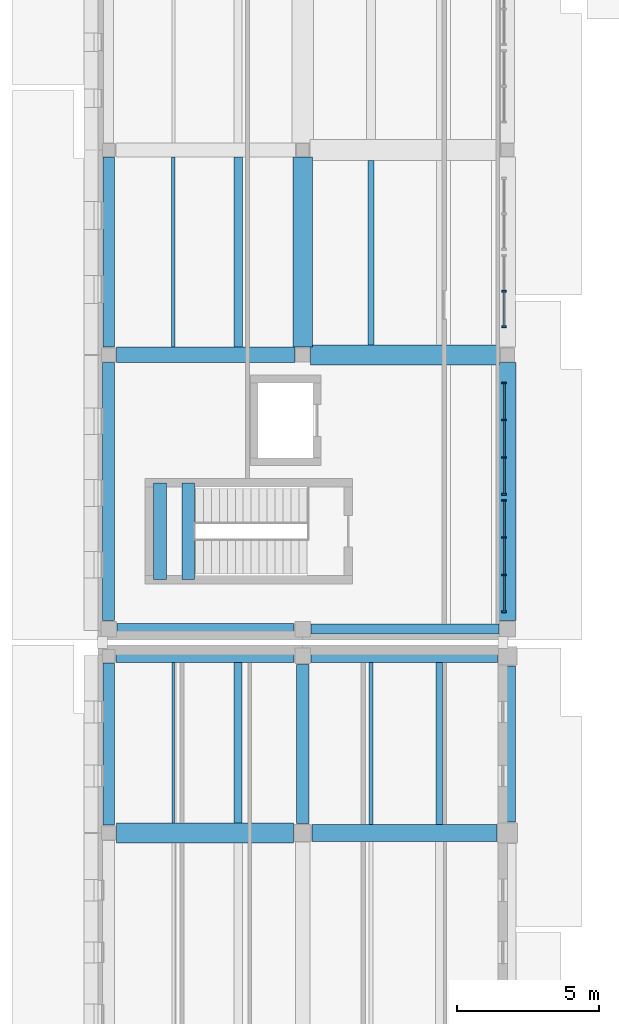
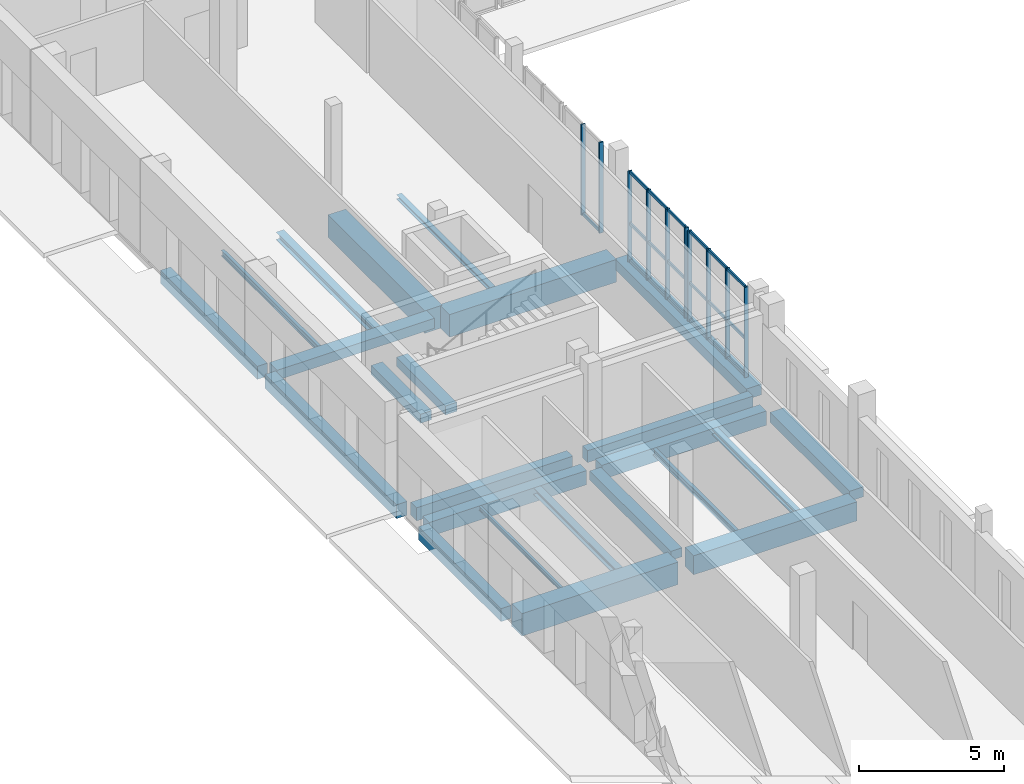
# One storey, part 20 of 77: 29 members, 24 beams, 3 elements without a shape of their own.
"""IFC4 building model written with IfcOpenShell, lengths in metres."""

from ifc_helpers import new_model, si_unit, direction, frame, origin, origin_2d, place, context, subcontext, project, spatial, rectangle, i_section, extrude, material, layer, layer_set, material_profile, profile_set, type_object, element, aggregate, save


model = new_model("IFC4")

# Units and contexts
model_context = context("Model", 3, precision=1e-05, world=origin(), true_north=direction((0.0, 1.0)))
body_context = subcontext(model_context, "Body", "Model", "MODEL_VIEW")
ifc_project = project(units=[si_unit("LENGTHUNIT", "METRE"), si_unit("AREAUNIT", "SQUARE_METRE"), si_unit("VOLUMEUNIT", "CUBIC_METRE"), si_unit("PLANEANGLEUNIT", "RADIAN"), si_unit("MASSUNIT", "GRAM", prefix="KILO")], contexts=[model_context])

# Site, building, storey
site_placement = place(None, origin())
site = spatial("IfcSite", under=ifc_project, at=site_placement, CompositionType="ELEMENT")
building_placement = place(site_placement, origin())
building = spatial("IfcBuilding", under=site, at=building_placement, Name="Vardoun Plaza Health Centre", CompositionType="ELEMENT")
storey_placement = place(building_placement, origin())
storey = spatial("IfcBuildingStorey", under=building, at=storey_placement, Name="L00", CompositionType="ELEMENT", Elevation=0.0)

# Beams
ifc_material_1 = material(Name="Concrete C35/45", Category="concrete")
ifc_material_profile_1 = material_profile(ifc_material_1, rectangle(XDim=0.35009765625, YDim=0.5, at=origin_2d()), Name="RC-BM 350x500")
ifc_profile_set_1 = profile_set([ifc_material_profile_1], Name="Concrete C35/45")
beam_type_1 = type_object("IfcBeamType", Name="B-08", PredefinedType="SPANDREL", material=ifc_profile_set_1)
beam_1_placement = place(storey_placement, frame((12.0, 77.06005859375, -0.514892578125), z_axis=(1.0, 0.0, 0.0), x_axis=(0.0, 1.0, 0.0)))
element("IfcBeam", 1, at=beam_1_placement, inside=storey, type_object=beam_type_1, Name="V3 L00 Beam B-V3-L00-X07", PredefinedType="SPANDREL", context=body_context, shape_type="SweptSolid", body=[
    extrude(rectangle(XDim=0.35009765625, YDim=0.5, at=origin_2d()), origin(), (0.0, 0.0, 1.0), 6.60009765625),
])
ifc_material_2 = material(Name="Concrete C35/45", Category="concrete")
ifc_material_profile_2 = material_profile(ifc_material_2, rectangle(XDim=0.39990234375, YDim=0.550048828125, at=origin_2d()), Name="RC-BM 400x550")
ifc_profile_set_2 = profile_set([ifc_material_profile_2], Name="Concrete C35/45")
beam_type_2 = type_object("IfcBeamType", Name="B-09", PredefinedType="SPANDREL", material=ifc_profile_set_2)
beam_2_placement = place(storey_placement, frame((4.8798828125, 70.175048828125, -0.554931640625), z_axis=(0.0, 1.0, 0.0), x_axis=(-1.0, 0.0, 0.0)))
element("IfcBeam", 2, at=beam_2_placement, inside=storey, type_object=beam_type_2, Name="V2 L00 Beam B-V2-L00-Y42", PredefinedType="SPANDREL", context=body_context, shape_type="SweptSolid", body=[
    extrude(rectangle(XDim=0.39990234375, YDim=0.550048828125, at=origin_2d()), origin(), (0.0, 0.0, 1.0), 5.695068359375),
])
beam_3_placement = place(storey_placement, frame((5.179931640625, 77.06005859375, -0.5400390625), z_axis=(1.0, 0.0, 0.0), x_axis=(0.0, 1.0, 0.0)))
element("IfcBeam", 3, at=beam_3_placement, inside=storey, type_object=beam_type_2, Name="V3 L00 Beam B-V3-L00-X01", PredefinedType="SPANDREL", context=body_context, shape_type="SweptSolid", body=[
    extrude(rectangle(XDim=0.39990234375, YDim=0.550048828125, at=origin_2d()), origin(), (0.0, 0.0, 1.0), 6.219970703125),
])
beam_4_placement = place(storey_placement, frame((4.8798828125, 86.97509765625, -0.5400390625), z_axis=(0.0, 1.0, 0.0), x_axis=(-1.0, 0.0, 0.0)))
element("IfcBeam", 4, at=beam_4_placement, inside=storey, type_object=beam_type_2, Name="V3 L00 Beam B-V3-L00-Y26", PredefinedType="SPANDREL", context=body_context, shape_type="SweptSolid", body=[
    extrude(rectangle(XDim=0.39990234375, YDim=0.550048828125, at=origin_2d()), origin(), (0.0, 0.0, 1.0), 6.675048828125),
])
ifc_material_3 = material(Name="Concrete C35/45", Category="concrete")
ifc_material_profile_3 = material_profile(ifc_material_3, rectangle(XDim=0.419921875, YDim=0.580078125, at=origin_2d()), Name="RC-BM 420x580")
ifc_profile_set_3 = profile_set([ifc_material_profile_3], Name="Concrete C35/45")
beam_type_3 = type_object("IfcBeamType", Name="B-10", PredefinedType="SPANDREL", material=ifc_profile_set_3)
beam_5_placement = place(storey_placement, frame((4.8798828125, 77.360107421875, -0.554931640625), z_axis=(0.0, 1.0, 0.0), x_axis=(-1.0, 0.0, 0.0)))
element("IfcBeam", 5, at=beam_5_placement, inside=storey, type_object=beam_type_3, Name="V3 L00 Beam B-V3-L00-Y25", PredefinedType="SPANDREL", context=body_context, shape_type="SweptSolid", body=[
    extrude(rectangle(XDim=0.419921875, YDim=0.580078125, at=origin_2d()), origin(), (0.0, 0.0, 1.0), 9.06494140625),
])
ifc_material_4 = material(Name="Concrete C35/45", Category="concrete")
ifc_material_profile_4 = material_profile(ifc_material_4, rectangle(XDim=0.449951171875, YDim=0.3798828125, at=origin_2d()), Name="RC-BM 450x380")
ifc_profile_set_4 = profile_set([ifc_material_profile_4], Name="Concrete C35/45")
beam_type_4 = type_object("IfcBeamType", Name="B-01", PredefinedType="BEAM", material=ifc_profile_set_4)
beam_6_placement = place(storey_placement, frame((11.699951171875, 70.22509765625, -0.469970703125), z_axis=(0.0, 1.0, 0.0), x_axis=(-1.0, 0.0, 0.0)))
element("IfcBeam", 6, at=beam_6_placement, inside=storey, type_object=beam_type_4, Name="V2 L00 Beam B-V2-L00-Y49", PredefinedType="BEAM", context=body_context, shape_type="SweptSolid", body=[
    extrude(rectangle(XDim=0.449951171875, YDim=0.3798828125, at=origin_2d()), origin(), (0.0, 0.0, 1.0), 5.594970703125),
])
for number, where, z_axis, x_axis, name in (
    (7, (6.679931640625, 78.800048828125, 1.860107421875), (0.0, 1.0, 0.0), (-1.0, 0.0, 0.0), "Stair ST-C3-L00 Landing Beam 1"),
    (8, (7.679931640625, 78.800048828125, 1.860107421875), (0.0, 1.0, 0.0), (-1.0, 0.0, 0.0), "Stair ST-C3-L00 Landing Beam 2"),
):
    element("IfcBeam", number, at=place(storey_placement, frame(where, z_axis=z_axis, x_axis=x_axis)), inside=storey, type_object=beam_type_4, Name=name, PredefinedType="BEAM", context=body_context, shape_type="SweptSolid", body=[
        extrude(rectangle(XDim=0.449951171875, YDim=0.3798828125, at=origin_2d()), origin(), (0.0, 0.0, 1.0), 3.39990234375),
    ])
ifc_material_5 = material(Name="Concrete C35/45", Category="concrete")
ifc_material_profile_5 = material_profile(ifc_material_5, rectangle(XDim=0.449951171875, YDim=0.60009765625, at=origin_2d()), Name="RC-BM 450x600")
ifc_profile_set_5 = profile_set([ifc_material_profile_5], Name="Concrete C35/45")
beam_type_5 = type_object("IfcBeamType", Name="B-11", PredefinedType="SPANDREL", material=ifc_profile_set_5)
beam_7_placement = place(storey_placement, frame((5.1298828125, 76.1201171875, -0.580078125), z_axis=(1.0, 0.0, 0.0), x_axis=(0.0, 1.0, 0.0)))
element("IfcBeam", 9, at=beam_7_placement, inside=storey, type_object=beam_type_5, Name="V2 L00 Beam B-V2-L00-X10", PredefinedType="SPANDREL", context=body_context, shape_type="SweptSolid", body=[
    extrude(rectangle(XDim=0.449951171875, YDim=0.60009765625, at=origin_2d()), origin(), (0.0, 0.0, 1.0), 6.27001953125),
])
beam_8_placement = place(storey_placement, frame((12.0, 76.1201171875, -0.580078125), z_axis=(1.0, 0.0, 0.0), x_axis=(0.0, 1.0, 0.0)))
element("IfcBeam", 10, at=beam_8_placement, inside=storey, type_object=beam_type_5, Name="V2 L00 Beam B-V2-L00-X20", PredefinedType="SPANDREL", context=body_context, shape_type="SweptSolid", body=[
    extrude(rectangle(XDim=0.449951171875, YDim=0.60009765625, at=origin_2d()), origin(), (0.0, 0.0, 1.0), 6.550048828125),
])
ifc_material_6 = material(Name="Concrete C35/45", Category="concrete")
ifc_material_profile_6 = material_profile(ifc_material_6, rectangle(XDim=0.550048828125, YDim=0.419921875, at=origin_2d()), Name="RC-BM 550x420")
ifc_profile_set_6 = profile_set([ifc_material_profile_6], Name="Concrete C35/45")
beam_type_6 = type_object("IfcBeamType", Name="B-03", PredefinedType="BEAM", material=ifc_profile_set_6)
beam_9_placement = place(storey_placement, frame((18.89990234375, 70.275146484375, -0.489990234375), z_axis=(0.0, 1.0, 0.0), x_axis=(-1.0, 0.0, 0.0)))
element("IfcBeam", 11, at=beam_9_placement, inside=storey, type_object=beam_type_6, Name="V2 L00 Beam B-V2-L00-Y58", PredefinedType="BEAM", context=body_context, shape_type="SweptSolid", body=[
    extrude(rectangle(XDim=0.550048828125, YDim=0.419921875, at=origin_2d()), origin(), (0.0, 0.0, 1.0), 5.494873046875),
])
beam_10_placement = place(storey_placement, frame((5.155029296875, 86.699951171875, -0.47509765625), z_axis=(1.0, 0.0, 0.0), x_axis=(0.0, 1.0, 0.0)))
element("IfcBeam", 12, at=beam_10_placement, inside=storey, type_object=beam_type_6, Name="V3 L00 Beam B-V3-L00-X02", PredefinedType="BEAM", context=body_context, shape_type="SweptSolid", body=[
    extrude(rectangle(XDim=0.550048828125, YDim=0.419921875, at=origin_2d()), origin(), (0.0, 0.0, 1.0), 6.27001953125),
])
ifc_material_7 = material(Name="Concrete C35/45", Category="concrete")
ifc_material_profile_7 = material_profile(ifc_material_7, rectangle(XDim=0.60009765625, YDim=0.449951171875, at=origin_2d()), Name="RC-BM 600x450")
ifc_profile_set_7 = profile_set([ifc_material_profile_7], Name="Concrete C35/45")
beam_type_7 = type_object("IfcBeamType", Name="B-04", PredefinedType="BEAM", material=ifc_profile_set_7)
beam_11_placement = place(storey_placement, frame((18.89990234375, 77.360107421875, -0.489990234375), z_axis=(0.0, 1.0, 0.0), x_axis=(-1.0, 0.0, 0.0)))
element("IfcBeam", 13, at=beam_11_placement, inside=storey, type_object=beam_type_7, Name="V3 L00 Beam B-V3-L00-Y34", PredefinedType="BEAM", context=body_context, shape_type="SweptSolid", body=[
    extrude(rectangle(XDim=0.60009765625, YDim=0.449951171875, at=origin_2d()), origin(), (0.0, 0.0, 1.0), 9.06494140625),
])
ifc_material_8 = material(Name="Concrete C40/50", Category="concrete")
ifc_material_profile_8 = material_profile(ifc_material_8, rectangle(XDim=0.60009765625, YDim=0.800048828125, at=origin_2d()), Name="RC-BM 600x800")
ifc_profile_set_8 = profile_set([ifc_material_profile_8], Name="Concrete C40/50")
beam_type_8 = type_object("IfcBeamType", Name="B-15", PredefinedType="JOIST", material=ifc_profile_set_8)
beam_12_placement = place(storey_placement, frame((12.02490234375, 69.900146484375, -0.679931640625), z_axis=(1.0, 0.0, 0.0), x_axis=(0.0, 1.0, 0.0)))
element("IfcBeam", 14, at=beam_12_placement, inside=storey, type_object=beam_type_8, Name="V2 L00 Beam B-V2-L00-X19", PredefinedType="JOIST", context=body_context, shape_type="SweptSolid", body=[
    extrude(rectangle(XDim=0.60009765625, YDim=0.800048828125, at=origin_2d()), origin(), (0.0, 0.0, 1.0), 6.5),
])
ifc_material_9 = material(Name="Concrete C40/50", Category="concrete")
ifc_material_profile_9 = material_profile(ifc_material_9, rectangle(XDim=0.699951171875, YDim=0.949951171875, at=origin_2d()), Name="RC-BM 700x950")
ifc_profile_set_9 = profile_set([ifc_material_profile_9], Name="Concrete C40/50")
beam_type_9 = type_object("IfcBeamType", Name="B-16", PredefinedType="LINTEL", material=ifc_profile_set_9)
beam_13_placement = place(storey_placement, frame((5.155029296875, 69.900146484375, -0.7548828125), z_axis=(1.0, 0.0, 0.0), x_axis=(0.0, 1.0, 0.0)))
element("IfcBeam", 15, at=beam_13_placement, inside=storey, type_object=beam_type_9, Name="V2 L00 Beam B-V2-L00-X09", PredefinedType="LINTEL", context=body_context, shape_type="SweptSolid", body=[
    extrude(rectangle(XDim=0.699951171875, YDim=0.949951171875, at=origin_2d()), origin(), (0.0, 0.0, 1.0), 6.219970703125),
])
beam_14_placement = place(storey_placement, frame((11.97509765625, 86.699951171875, -0.739990234375), z_axis=(1.0, 0.0, 0.0), x_axis=(0.0, 1.0, 0.0)))
element("IfcBeam", 16, at=beam_14_placement, inside=storey, type_object=beam_type_9, Name="V3 L00 Beam B-V3-L00-X08", PredefinedType="LINTEL", context=body_context, shape_type="SweptSolid", body=[
    extrude(rectangle(XDim=0.699951171875, YDim=0.949951171875, at=origin_2d()), origin(), (0.0, 0.0, 1.0), 6.64990234375),
])
beam_15_placement = place(storey_placement, frame((11.699951171875, 86.97509765625, -0.739990234375), z_axis=(0.0, 1.0, 0.0), x_axis=(-1.0, 0.0, 0.0)))
element("IfcBeam", 17, at=beam_15_placement, inside=storey, type_object=beam_type_9, Name="V3 L00 Beam B-V3-L00-Y30", PredefinedType="LINTEL", context=body_context, shape_type="SweptSolid", body=[
    extrude(rectangle(XDim=0.699951171875, YDim=0.949951171875, at=origin_2d()), origin(), (0.0, 0.0, 1.0), 6.675048828125),
])
ifc_material_10 = material(Name="Steel S355J2", Category="steel")
ifc_material_profile_10 = material_profile(ifc_material_10, i_section(OverallWidth=0.199951171875, OverallDepth=0.18994140625, WebThickness=0.006591796875, FlangeThickness=0.010009765625, FilletRadius=0.01806640625, at=origin_2d()), Name="HEA 200")
ifc_profile_set_10 = profile_set([ifc_material_profile_10], Name="Steel S355J2")
beam_type_10 = type_object("IfcBeamType", Name="SB-09", PredefinedType="BEAM", material=ifc_profile_set_10)
beam_16_placement = place(storey_placement, frame((14.099853515625, 87.050048828125, -0.360107421875), z_axis=(0.0, 1.0, 0.0), x_axis=(-1.0, 0.0, 0.0)))
element("IfcBeam", 18, at=beam_16_placement, inside=storey, type_object=beam_type_10, Name="V3 L00 Secondary Floor Beam SJ-V3-L00-09", PredefinedType="BEAM", context=body_context, shape_type="SweptSolid", body=[
    extrude(i_section(OverallWidth=0.199951171875, OverallDepth=0.18994140625, WebThickness=0.006591796875, FlangeThickness=0.010009765625, FilletRadius=0.01806640625, at=origin_2d()), origin(), (0.0, 0.0, 1.0), 6.47509765625),
])
ifc_material_11 = material(Name="Steel S355J2", Category="steel")
ifc_material_profile_11 = material_profile(ifc_material_11, i_section(OverallWidth=0.239990234375, OverallDepth=0.22998046875, WebThickness=0.007568359375, FlangeThickness=0.011962890625, FilletRadius=0.02099609375, at=origin_2d()), Name="HEA 240")
ifc_profile_set_11 = profile_set([ifc_material_profile_11], Name="Steel S355J2")
beam_type_11 = type_object("IfcBeamType", Name="SB-07", PredefinedType="BEAM", material=ifc_profile_set_11)
beam_17_placement = place(storey_placement, frame((16.500244140625, 70.199951171875, -0.39501953125), z_axis=(0.0, 1.0, 0.0), x_axis=(-1.0, 0.0, 0.0)))
element("IfcBeam", 19, at=beam_17_placement, inside=storey, type_object=beam_type_11, Name="V2 L00 Secondary Floor Beam SJ-V2-L00-28", PredefinedType="BEAM", context=body_context, shape_type="SweptSolid", body=[
    extrude(i_section(OverallWidth=0.239990234375, OverallDepth=0.22998046875, WebThickness=0.007568359375, FlangeThickness=0.011962890625, FilletRadius=0.02099609375, at=origin_2d()), origin(), (0.0, 0.0, 1.0), 5.695068359375),
])
ifc_material_12 = material(Name="Steel S355J2", Category="steel")
ifc_material_profile_12 = material_profile(ifc_material_12, i_section(OverallWidth=0.300048828125, OverallDepth=0.330078125, WebThickness=0.009521484375, FlangeThickness=0.0166015625, FilletRadius=0.027099609375, at=origin_2d()), Name="HEA 340")
ifc_profile_set_12 = profile_set([ifc_material_profile_12], Name="Steel S355J2")
beam_type_12 = type_object("IfcBeamType", Name="SB-04", PredefinedType="BEAM", material=ifc_profile_set_12)
beam_18_placement = place(storey_placement, frame((9.427001953125, 86.97509765625, -0.429931640625), z_axis=(0.0, 1.0, 0.0), x_axis=(-1.0, 0.0, 0.0)))
element("IfcBeam", 20, at=beam_18_placement, inside=storey, type_object=beam_type_12, Name="V3 L00 Secondary Floor Beam SJ-V3-L00-05", PredefinedType="BEAM", context=body_context, shape_type="SweptSolid", body=[
    extrude(i_section(OverallWidth=0.300048828125, OverallDepth=0.330078125, WebThickness=0.009521484375, FlangeThickness=0.0166015625, FilletRadius=0.027099609375, at=origin_2d()), origin(), (0.0, 0.0, 1.0), 6.675048828125),
])
ifc_material_13 = material(Name="Steel S355J2", Category="steel")
ifc_material_profile_13 = material_profile(ifc_material_13, i_section(OverallWidth=0.280029296875, OverallDepth=0.280029296875, WebThickness=0.010498046875, FlangeThickness=0.01806640625, FilletRadius=0.02392578125, at=origin_2d()), Name="HEB 280")
ifc_profile_set_13 = profile_set([ifc_material_profile_13], Name="Steel S355J2")
beam_type_13 = type_object("IfcBeamType", Name="SB-02", PredefinedType="BEAM", material=ifc_profile_set_13)
beam_19_placement = place(storey_placement, frame((9.427001953125, 70.25, -0.419921875), z_axis=(0.0, 1.0, 0.0), x_axis=(-1.0, 0.0, 0.0)))
element("IfcBeam", 21, at=beam_19_placement, inside=storey, type_object=beam_type_13, Name="V2 L00 Secondary Floor Beam SJ-V2-L00-14", PredefinedType="BEAM", context=body_context, shape_type="SweptSolid", body=[
    extrude(i_section(OverallWidth=0.280029296875, OverallDepth=0.280029296875, WebThickness=0.010498046875, FlangeThickness=0.01806640625, FilletRadius=0.02392578125, at=origin_2d()), origin(), (0.0, 0.0, 1.0), 5.64501953125),
])
ifc_material_14 = material(Name="Steel S355J2", Category="steel")
ifc_material_profile_14 = material_profile(ifc_material_14, i_section(OverallWidth=0.091064453125, OverallDepth=0.179931640625, WebThickness=0.00537109375, FlangeThickness=0.008056640625, FilletRadius=0.009033203125, at=origin_2d()), Name="IPE 180")
ifc_profile_set_14 = profile_set([ifc_material_profile_14], Name="Steel S355J2")
beam_type_14 = type_object("IfcBeamType", Name="SB-20", PredefinedType="SPANDREL", material=ifc_profile_set_14)
beam_20_placement = place(storey_placement, frame((7.153076171875, 70.25, -0.3701171875), z_axis=(0.0, 1.0, 0.0), x_axis=(-1.0, 0.0, 0.0)))
element("IfcBeam", 22, at=beam_20_placement, inside=storey, type_object=beam_type_14, Name="V2 L00 Secondary Floor Beam SJ-V2-L00-07", PredefinedType="SPANDREL", context=body_context, shape_type="SweptSolid", body=[
    extrude(i_section(OverallWidth=0.091064453125, OverallDepth=0.179931640625, WebThickness=0.00537109375, FlangeThickness=0.008056640625, FilletRadius=0.009033203125, at=origin_2d()), origin(), (0.0, 0.0, 1.0), 5.64501953125),
])
ifc_material_15 = material(Name="Steel S355J2", Category="steel")
ifc_material_profile_15 = material_profile(ifc_material_15, i_section(OverallWidth=0.1201171875, OverallDepth=0.239990234375, WebThickness=0.006103515625, FlangeThickness=0.009765625, FilletRadius=0.014892578125, at=origin_2d()), Name="IPE 240")
ifc_profile_set_15 = profile_set([ifc_material_profile_15], Name="Steel S355J2")
beam_type_15 = type_object("IfcBeamType", Name="SB-17", PredefinedType="JOIST", material=ifc_profile_set_15)
beam_21_placement = place(storey_placement, frame((7.153076171875, 86.97509765625, -0.385009765625), z_axis=(0.0, 1.0, 0.0), x_axis=(-1.0, 0.0, 0.0)))
element("IfcBeam", 23, at=beam_21_placement, inside=storey, type_object=beam_type_15, Name="V3 L00 Secondary Floor Beam SJ-V3-L00-01", PredefinedType="JOIST", context=body_context, shape_type="SweptSolid", body=[
    extrude(i_section(OverallWidth=0.1201171875, OverallDepth=0.239990234375, WebThickness=0.006103515625, FlangeThickness=0.009765625, FilletRadius=0.014892578125, at=origin_2d()), origin(), (0.0, 0.0, 1.0), 6.675048828125),
])
ifc_material_16 = material(Name="Steel S355J2", Category="steel")
ifc_material_profile_16 = material_profile(ifc_material_16, i_section(OverallWidth=0.135009765625, OverallDepth=0.27001953125, WebThickness=0.006591796875, FlangeThickness=0.01025390625, FilletRadius=0.014892578125, at=origin_2d()), Name="IPE 270")
ifc_profile_set_16 = profile_set([ifc_material_profile_16], Name="Steel S355J2")
beam_type_16 = type_object("IfcBeamType", Name="SB-16", PredefinedType="JOIST", material=ifc_profile_set_16)
beam_22_placement = place(storey_placement, frame((14.099853515625, 70.199951171875, -0.4150390625), z_axis=(0.0, 1.0, 0.0), x_axis=(-1.0, 0.0, 0.0)))
element("IfcBeam", 24, at=beam_22_placement, inside=storey, type_object=beam_type_16, Name="V2 L00 Secondary Floor Beam SJ-V2-L00-21", PredefinedType="JOIST", context=body_context, shape_type="SweptSolid", body=[
    extrude(i_section(OverallWidth=0.135009765625, OverallDepth=0.27001953125, WebThickness=0.006591796875, FlangeThickness=0.01025390625, FilletRadius=0.014892578125, at=origin_2d()), origin(), (0.0, 0.0, 1.0), 5.695068359375),
])

# Curtain wall, members
ifc_material_17 = material(Name="Aluminium Alloy EN AW-6063-T6 and Low-E Glass", Category="aluminium")
ifc_layer = layer(ifc_material_17, 0.159912109375)
ifc_layer_set = layer_set([ifc_layer], Name="Aluminium Alloy EN AW-6063-T6 and Low-E Glass")
curtain_wall_type = type_object("IfcCurtainWallType", Name="CW-02", PredefinedType="USERDEFINED", material=ifc_layer_set)
curtain_wall_1_placement = place(storey_placement, origin())
curtain_wall_1 = element("IfcCurtainWall", 25, at=curtain_wall_1_placement, inside=storey, type_object=curtain_wall_type, Name="Curtain Wall CW-V3-056", ObjectType="COURTYARD_CURTAIN_WALL", PredefinedType="USERDEFINED")
ifc_material_18 = material(Name="Aluminium Alloy EN AW-6063-T6", Category="aluminium")
ifc_material_profile_17 = material_profile(ifc_material_18, rectangle(XDim=0.159912109375, YDim=0.06005859375, at=origin_2d()), Name="CWM 60x160")
ifc_profile_set_17 = profile_set([ifc_material_profile_17], Name="Aluminium Alloy EN AW-6063-T6")
member_type_1 = type_object("IfcMemberType", Name="CW-M1", PredefinedType="MULLION", material=ifc_profile_set_17)
member_1_placement = place(storey_placement, frame((18.780029296875, 88.940185546875, 0.0), z_axis=(0.0, 0.0, 1.0), x_axis=(1.0, 0.0, 0.0)))
member_1 = element("IfcMember", 26, at=member_1_placement, type_object=member_type_1, Name="CW-V3-056 mullion 2", PredefinedType="MULLION", context=body_context, shape_type="SweptSolid", body=[
    extrude(rectangle(XDim=0.159912109375, YDim=0.06005859375, at=origin_2d()), origin(), (0.0, 0.0, 1.0), 3.820068359375),
])
member_2_placement = place(storey_placement, frame((18.780029296875, 87.690185546875, 0.0), z_axis=(0.0, 0.0, 1.0), x_axis=(1.0, 0.0, 0.0)))
member_2 = element("IfcMember", 27, at=member_2_placement, type_object=member_type_1, Name="CW-V3-056 mullion 3", PredefinedType="MULLION", context=body_context, shape_type="SweptSolid", body=[
    extrude(rectangle(XDim=0.159912109375, YDim=0.06005859375, at=origin_2d()), origin(), (0.0, 0.0, 1.0), 3.820068359375),
])

curtain_wall_2_placement = place(storey_placement, origin())
curtain_wall_2 = element("IfcCurtainWall", 28, at=curtain_wall_2_placement, inside=storey, type_object=curtain_wall_type, Name="Curtain Wall CW-V3-057", ObjectType="COURTYARD_CURTAIN_WALL", PredefinedType="USERDEFINED")
member_3_placement = place(storey_placement, frame((18.780029296875, 85.7099609375, 0.0), z_axis=(0.0, 0.0, 1.0), x_axis=(1.0, 0.0, 0.0)))
member_3 = element("IfcMember", 29, at=member_3_placement, type_object=member_type_1, Name="CW-V3-057 mullion 1", PredefinedType="MULLION", context=body_context, shape_type="SweptSolid", body=[
    extrude(rectangle(XDim=0.159912109375, YDim=0.06005859375, at=origin_2d()), origin(), (0.0, 0.0, 1.0), 3.800048828125),
])
member_4_placement = place(storey_placement, frame((18.780029296875, 84.416748046875, 0.0), z_axis=(0.0, 0.0, 1.0), x_axis=(1.0, 0.0, 0.0)))
member_4 = element("IfcMember", 30, at=member_4_placement, type_object=member_type_1, Name="CW-V3-057 mullion 2", PredefinedType="MULLION", context=body_context, shape_type="SweptSolid", body=[
    extrude(rectangle(XDim=0.159912109375, YDim=0.06005859375, at=origin_2d()), origin(), (0.0, 0.0, 1.0), 3.800048828125),
])
member_5_placement = place(storey_placement, frame((18.780029296875, 83.09326171875, 0.0), z_axis=(0.0, 0.0, 1.0), x_axis=(1.0, 0.0, 0.0)))
member_5 = element("IfcMember", 31, at=member_5_placement, type_object=member_type_1, Name="CW-V3-057 mullion 3", PredefinedType="MULLION", context=body_context, shape_type="SweptSolid", body=[
    extrude(rectangle(XDim=0.159912109375, YDim=0.06005859375, at=origin_2d()), origin(), (0.0, 0.0, 1.0), 3.800048828125),
])
member_6_placement = place(storey_placement, frame((18.780029296875, 81.800048828125, 0.0), z_axis=(0.0, 0.0, 1.0), x_axis=(1.0, 0.0, 0.0)))
member_6 = element("IfcMember", 32, at=member_6_placement, type_object=member_type_1, Name="CW-V3-057 mullion 4", PredefinedType="MULLION", context=body_context, shape_type="SweptSolid", body=[
    extrude(rectangle(XDim=0.159912109375, YDim=0.06005859375, at=origin_2d()), origin(), (0.0, 0.0, 1.0), 3.800048828125),
])

curtain_wall_3_placement = place(storey_placement, origin())
curtain_wall_3 = element("IfcCurtainWall", 33, at=curtain_wall_3_placement, inside=storey, type_object=curtain_wall_type, Name="Curtain Wall CW-V3-058", ObjectType="COURTYARD_CURTAIN_WALL", PredefinedType="USERDEFINED")
member_7_placement = place(storey_placement, frame((18.780029296875, 81.580078125, 0.0), z_axis=(0.0, 0.0, 1.0), x_axis=(1.0, 0.0, 0.0)))
member_7 = element("IfcMember", 34, at=member_7_placement, type_object=member_type_1, Name="CW-V3-058 mullion 1", PredefinedType="MULLION", context=body_context, shape_type="SweptSolid", body=[
    extrude(rectangle(XDim=0.159912109375, YDim=0.06005859375, at=origin_2d()), origin(), (0.0, 0.0, 1.0), 3.800048828125),
])
member_8_placement = place(storey_placement, frame((18.780029296875, 80.28662109375, 0.0), z_axis=(0.0, 0.0, 1.0), x_axis=(1.0, 0.0, 0.0)))
member_8 = element("IfcMember", 35, at=member_8_placement, type_object=member_type_1, Name="CW-V3-058 mullion 2", PredefinedType="MULLION", context=body_context, shape_type="SweptSolid", body=[
    extrude(rectangle(XDim=0.159912109375, YDim=0.06005859375, at=origin_2d()), origin(), (0.0, 0.0, 1.0), 3.800048828125),
])
member_9_placement = place(storey_placement, frame((18.780029296875, 78.96337890625, 0.0), z_axis=(0.0, 0.0, 1.0), x_axis=(1.0, 0.0, 0.0)))
member_9 = element("IfcMember", 36, at=member_9_placement, type_object=member_type_1, Name="CW-V3-058 mullion 3", PredefinedType="MULLION", context=body_context, shape_type="SweptSolid", body=[
    extrude(rectangle(XDim=0.159912109375, YDim=0.06005859375, at=origin_2d()), origin(), (0.0, 0.0, 1.0), 3.800048828125),
])
member_10_placement = place(storey_placement, frame((18.780029296875, 77.669921875, 0.0), z_axis=(0.0, 0.0, 1.0), x_axis=(1.0, 0.0, 0.0)))
member_10 = element("IfcMember", 37, at=member_10_placement, type_object=member_type_1, Name="CW-V3-058 mullion 4", PredefinedType="MULLION", context=body_context, shape_type="SweptSolid", body=[
    extrude(rectangle(XDim=0.159912109375, YDim=0.06005859375, at=origin_2d()), origin(), (0.0, 0.0, 1.0), 3.800048828125),
])

# Member
ifc_material_19 = material(Name="Aluminium Alloy EN AW-6063-T6", Category="aluminium")
ifc_material_profile_18 = material_profile(ifc_material_19, rectangle(XDim=0.06005859375, YDim=0.1201171875, at=origin_2d()), Name="CWT 60x120")
ifc_profile_set_18 = profile_set([ifc_material_profile_18], Name="Aluminium Alloy EN AW-6063-T6")
member_type_2 = type_object("IfcMemberType", Name="CW-T1", PredefinedType="USERDEFINED", material=ifc_profile_set_18)
member_11_placement = place(storey_placement, frame((18.780029296875, 88.909912109375, 0.030029296875), z_axis=(0.0, -1.0, 0.0), x_axis=(1.0, 0.0, 0.0)))
member_11 = element("IfcMember", 38, at=member_11_placement, type_object=member_type_2, Name="CW-V3-056 transom 2.1", ObjectType="TRANSOM", PredefinedType="USERDEFINED", context=body_context, shape_type="SweptSolid", body=[
    extrude(rectangle(XDim=0.06005859375, YDim=0.1201171875, at=origin_2d()), origin(), (0.0, 0.0, 1.0), 1.18994140625),
])

aggregate(curtain_wall_1, [member_1, member_2, member_11])

member_12_placement = place(storey_placement, frame((18.780029296875, 85.679931640625, 0.030029296875), z_axis=(0.0, -1.0, 0.0), x_axis=(1.0, 0.0, 0.0)))
member_12 = element("IfcMember", 39, at=member_12_placement, type_object=member_type_2, Name="CW-V3-057 transom 1.1", ObjectType="TRANSOM", PredefinedType="USERDEFINED", context=body_context, shape_type="SweptSolid", body=[
    extrude(rectangle(XDim=0.06005859375, YDim=0.1201171875, at=origin_2d()), origin(), (0.0, 0.0, 1.0), 1.233154296875),
])

member_13_placement = place(storey_placement, frame((18.780029296875, 85.679931640625, 1.595947265625), z_axis=(0.0, -1.0, 0.0), x_axis=(1.0, 0.0, 0.0)))
member_13 = element("IfcMember", 40, at=member_13_placement, type_object=member_type_2, Name="CW-V3-057 transom 1.2", ObjectType="TRANSOM", PredefinedType="USERDEFINED", context=body_context, shape_type="SweptSolid", body=[
    extrude(rectangle(XDim=0.06005859375, YDim=0.1201171875, at=origin_2d()), origin(), (0.0, 0.0, 1.0), 1.233154296875),
])

member_14_placement = place(storey_placement, frame((18.780029296875, 85.679931640625, 3.77001953125), z_axis=(0.0, -1.0, 0.0), x_axis=(1.0, 0.0, 0.0)))
member_14 = element("IfcMember", 41, at=member_14_placement, type_object=member_type_2, Name="CW-V3-057 transom 1.3", ObjectType="TRANSOM", PredefinedType="USERDEFINED", context=body_context, shape_type="SweptSolid", body=[
    extrude(rectangle(XDim=0.06005859375, YDim=0.1201171875, at=origin_2d()), origin(), (0.0, 0.0, 1.0), 1.233154296875),
])

member_15_placement = place(storey_placement, frame((18.780029296875, 84.38671875, 0.030029296875), z_axis=(0.0, -1.0, 0.0), x_axis=(1.0, 0.0, 0.0)))
member_15 = element("IfcMember", 42, at=member_15_placement, type_object=member_type_2, Name="CW-V3-057 transom 2.1", ObjectType="TRANSOM", PredefinedType="USERDEFINED", context=body_context, shape_type="SweptSolid", body=[
    extrude(rectangle(XDim=0.06005859375, YDim=0.1201171875, at=origin_2d()), origin(), (0.0, 0.0, 1.0), 1.263427734375),
])

member_16_placement = place(storey_placement, frame((18.780029296875, 84.38671875, 1.595947265625), z_axis=(0.0, -1.0, 0.0), x_axis=(1.0, 0.0, 0.0)))
member_16 = element("IfcMember", 43, at=member_16_placement, type_object=member_type_2, Name="CW-V3-057 transom 2.2", ObjectType="TRANSOM", PredefinedType="USERDEFINED", context=body_context, shape_type="SweptSolid", body=[
    extrude(rectangle(XDim=0.06005859375, YDim=0.1201171875, at=origin_2d()), origin(), (0.0, 0.0, 1.0), 1.263427734375),
])

member_17_placement = place(storey_placement, frame((18.780029296875, 84.38671875, 3.77001953125), z_axis=(0.0, -1.0, 0.0), x_axis=(1.0, 0.0, 0.0)))
member_17 = element("IfcMember", 44, at=member_17_placement, type_object=member_type_2, Name="CW-V3-057 transom 2.3", ObjectType="TRANSOM", PredefinedType="USERDEFINED", context=body_context, shape_type="SweptSolid", body=[
    extrude(rectangle(XDim=0.06005859375, YDim=0.1201171875, at=origin_2d()), origin(), (0.0, 0.0, 1.0), 1.263427734375),
])

member_18_placement = place(storey_placement, frame((18.780029296875, 83.063232421875, 0.030029296875), z_axis=(0.0, -1.0, 0.0), x_axis=(1.0, 0.0, 0.0)))
member_18 = element("IfcMember", 45, at=member_18_placement, type_object=member_type_2, Name="CW-V3-057 transom 3.1", ObjectType="TRANSOM", PredefinedType="USERDEFINED", context=body_context, shape_type="SweptSolid", body=[
    extrude(rectangle(XDim=0.06005859375, YDim=0.1201171875, at=origin_2d()), origin(), (0.0, 0.0, 1.0), 1.233154296875),
])

member_19_placement = place(storey_placement, frame((18.780029296875, 83.063232421875, 1.595947265625), z_axis=(0.0, -1.0, 0.0), x_axis=(1.0, 0.0, 0.0)))
member_19 = element("IfcMember", 46, at=member_19_placement, type_object=member_type_2, Name="CW-V3-057 transom 3.2", ObjectType="TRANSOM", PredefinedType="USERDEFINED", context=body_context, shape_type="SweptSolid", body=[
    extrude(rectangle(XDim=0.06005859375, YDim=0.1201171875, at=origin_2d()), origin(), (0.0, 0.0, 1.0), 1.233154296875),
])

member_20_placement = place(storey_placement, frame((18.780029296875, 83.063232421875, 3.77001953125), z_axis=(0.0, -1.0, 0.0), x_axis=(1.0, 0.0, 0.0)))
member_20 = element("IfcMember", 47, at=member_20_placement, type_object=member_type_2, Name="CW-V3-057 transom 3.3", ObjectType="TRANSOM", PredefinedType="USERDEFINED", context=body_context, shape_type="SweptSolid", body=[
    extrude(rectangle(XDim=0.06005859375, YDim=0.1201171875, at=origin_2d()), origin(), (0.0, 0.0, 1.0), 1.233154296875),
])

aggregate(curtain_wall_2, [member_3, member_4, member_5, member_6, member_12, member_13, member_14, member_15, member_16, member_17, member_18, member_19, member_20])

member_21_placement = place(storey_placement, frame((18.780029296875, 81.550048828125, 0.030029296875), z_axis=(0.0, -1.0, 0.0), x_axis=(1.0, 0.0, 0.0)))
member_21 = element("IfcMember", 48, at=member_21_placement, type_object=member_type_2, Name="CW-V3-058 transom 1.1", ObjectType="TRANSOM", PredefinedType="USERDEFINED", context=body_context, shape_type="SweptSolid", body=[
    extrude(rectangle(XDim=0.06005859375, YDim=0.1201171875, at=origin_2d()), origin(), (0.0, 0.0, 1.0), 1.2333984375),
])

member_22_placement = place(storey_placement, frame((18.780029296875, 81.550048828125, 1.595947265625), z_axis=(0.0, -1.0, 0.0), x_axis=(1.0, 0.0, 0.0)))
member_22 = element("IfcMember", 49, at=member_22_placement, type_object=member_type_2, Name="CW-V3-058 transom 1.2", ObjectType="TRANSOM", PredefinedType="USERDEFINED", context=body_context, shape_type="SweptSolid", body=[
    extrude(rectangle(XDim=0.06005859375, YDim=0.1201171875, at=origin_2d()), origin(), (0.0, 0.0, 1.0), 1.2333984375),
])

member_23_placement = place(storey_placement, frame((18.780029296875, 81.550048828125, 3.77001953125), z_axis=(0.0, -1.0, 0.0), x_axis=(1.0, 0.0, 0.0)))
member_23 = element("IfcMember", 50, at=member_23_placement, type_object=member_type_2, Name="CW-V3-058 transom 1.3", ObjectType="TRANSOM", PredefinedType="USERDEFINED", context=body_context, shape_type="SweptSolid", body=[
    extrude(rectangle(XDim=0.06005859375, YDim=0.1201171875, at=origin_2d()), origin(), (0.0, 0.0, 1.0), 1.2333984375),
])

member_24_placement = place(storey_placement, frame((18.780029296875, 80.256591796875, 0.030029296875), z_axis=(0.0, -1.0, 0.0), x_axis=(1.0, 0.0, 0.0)))
member_24 = element("IfcMember", 51, at=member_24_placement, type_object=member_type_2, Name="CW-V3-058 transom 2.1", ObjectType="TRANSOM", PredefinedType="USERDEFINED", context=body_context, shape_type="SweptSolid", body=[
    extrude(rectangle(XDim=0.06005859375, YDim=0.1201171875, at=origin_2d()), origin(), (0.0, 0.0, 1.0), 1.26318359375),
])

member_25_placement = place(storey_placement, frame((18.780029296875, 80.256591796875, 1.595947265625), z_axis=(0.0, -1.0, 0.0), x_axis=(1.0, 0.0, 0.0)))
member_25 = element("IfcMember", 52, at=member_25_placement, type_object=member_type_2, Name="CW-V3-058 transom 2.2", ObjectType="TRANSOM", PredefinedType="USERDEFINED", context=body_context, shape_type="SweptSolid", body=[
    extrude(rectangle(XDim=0.06005859375, YDim=0.1201171875, at=origin_2d()), origin(), (0.0, 0.0, 1.0), 1.26318359375),
])

member_26_placement = place(storey_placement, frame((18.780029296875, 80.256591796875, 3.77001953125), z_axis=(0.0, -1.0, 0.0), x_axis=(1.0, 0.0, 0.0)))
member_26 = element("IfcMember", 53, at=member_26_placement, type_object=member_type_2, Name="CW-V3-058 transom 2.3", ObjectType="TRANSOM", PredefinedType="USERDEFINED", context=body_context, shape_type="SweptSolid", body=[
    extrude(rectangle(XDim=0.06005859375, YDim=0.1201171875, at=origin_2d()), origin(), (0.0, 0.0, 1.0), 1.26318359375),
])

member_27_placement = place(storey_placement, frame((18.780029296875, 78.933349609375, 0.030029296875), z_axis=(0.0, -1.0, 0.0), x_axis=(1.0, 0.0, 0.0)))
member_27 = element("IfcMember", 54, at=member_27_placement, type_object=member_type_2, Name="CW-V3-058 transom 3.1", ObjectType="TRANSOM", PredefinedType="USERDEFINED", context=body_context, shape_type="SweptSolid", body=[
    extrude(rectangle(XDim=0.06005859375, YDim=0.1201171875, at=origin_2d()), origin(), (0.0, 0.0, 1.0), 1.2333984375),
])

member_28_placement = place(storey_placement, frame((18.780029296875, 78.933349609375, 1.595947265625), z_axis=(0.0, -1.0, 0.0), x_axis=(1.0, 0.0, 0.0)))
member_28 = element("IfcMember", 55, at=member_28_placement, type_object=member_type_2, Name="CW-V3-058 transom 3.2", ObjectType="TRANSOM", PredefinedType="USERDEFINED", context=body_context, shape_type="SweptSolid", body=[
    extrude(rectangle(XDim=0.06005859375, YDim=0.1201171875, at=origin_2d()), origin(), (0.0, 0.0, 1.0), 1.2333984375),
])

member_29_placement = place(storey_placement, frame((18.780029296875, 78.933349609375, 3.77001953125), z_axis=(0.0, -1.0, 0.0), x_axis=(1.0, 0.0, 0.0)))
member_29 = element("IfcMember", 56, at=member_29_placement, type_object=member_type_2, Name="CW-V3-058 transom 3.3", ObjectType="TRANSOM", PredefinedType="USERDEFINED", context=body_context, shape_type="SweptSolid", body=[
    extrude(rectangle(XDim=0.06005859375, YDim=0.1201171875, at=origin_2d()), origin(), (0.0, 0.0, 1.0), 1.2333984375),
])

aggregate(curtain_wall_3, [member_7, member_8, member_9, member_10, member_21, member_22, member_23, member_24, member_25, member_26, member_27, member_28, member_29])

save(model, "model.ifc")
